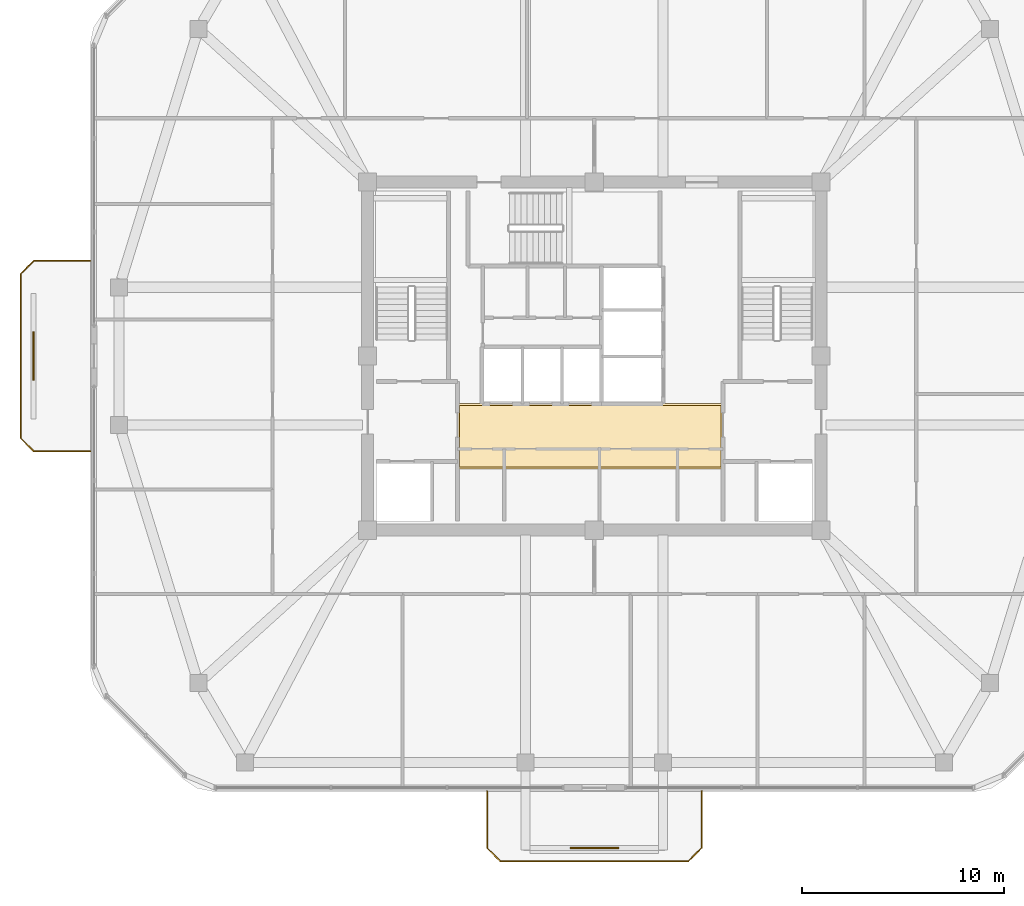
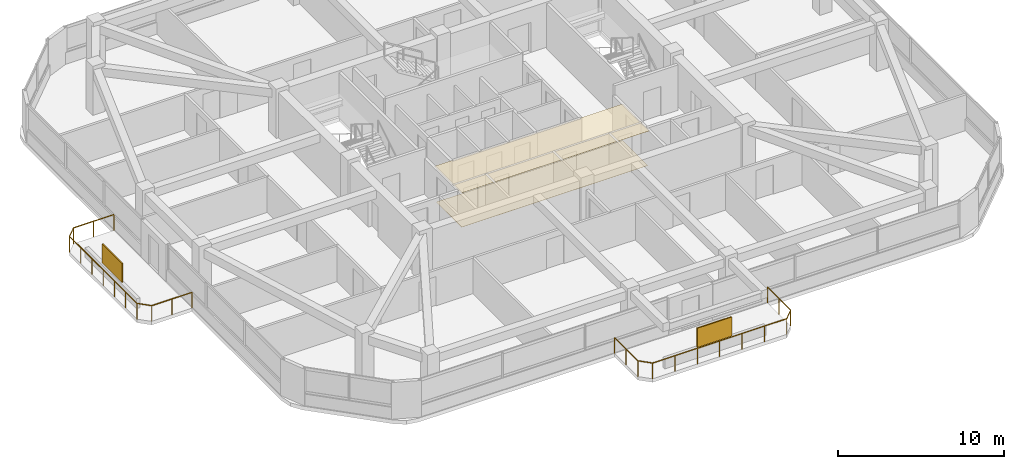
# One storey, part 12 of 13: 2 coverings, 2 railings, 2 shading devices.
"""IFC4 building model written with IfcOpenShell, lengths in metres."""

import ifcopenshell
import ifcopenshell.guid

model = None  # the IFC model being written
_history = None  # IfcOwnerHistory: only IFC2X3 demands one
_inside = {}  # id of a spatial element -> (the spatial element, [elements in it])
_under = {}  # id of a project, library or spatial element -> (it, [spatial elements below it])
_declared = {}  # id of a project -> (the project, [libraries it declares])
_typed = {}  # id of a type object -> (the type object, [elements of that type])
_made_of = {}  # id of a material, layer set ... -> (it, [elements and type objects made of it])


def new_model(schema):
    """Start an empty IFC model of exactly this schema.

    Asked for "IFC4X3", IfcOpenShell would pick the latest addendum, in which some entities
    have other attributes; the version numbers below select the first issue.
    IFC2X3 requires an IfcOwnerHistory on every rooted entity: one is made here for all.
    """
    global model, _history
    if schema == "IFC4X3":
        model = ifcopenshell.file(schema_version=(4, 3, 0, 0))
    else:
        model = ifcopenshell.file(schema=schema)
    _inside.clear()
    _under.clear()
    _declared.clear()
    _typed.clear()
    _made_of.clear()
    _history = None
    if model.schema == "IFC2X3":
        org = make("IfcOrganization", Name="unknown")
        user = make(
            "IfcPersonAndOrganization",
            ThePerson=make("IfcPerson", FamilyName="unknown"),
            TheOrganization=org,
        )
        app = make(
            "IfcApplication",
            ApplicationDeveloper=org,
            Version="unknown",
            ApplicationFullName="unknown",
            ApplicationIdentifier="unknown",
        )
        _history = make(
            "IfcOwnerHistory",
            OwningUser=user,
            OwningApplication=app,
            ChangeAction="ADDED",
            CreationDate=0,
        )
    return model


def make(cls, **values):
    """One entity of the class cls with the attributes given. An attribute that is None is left unset."""
    return model.create_entity(
        cls, **{name: value for name, value in values.items() if value is not None}
    )


def rooted(cls, **values):
    """An entity with a GlobalId (a new one), such as an element, a storey or a relation."""
    return make(cls, GlobalId=ifcopenshell.guid.new(), OwnerHistory=_history, **values)


def si_unit(unit_type, name, prefix=None):
    """IfcSIUnit, for example si_unit("LENGTHUNIT", "METRE", prefix="MILLI")."""
    return make("IfcSIUnit", UnitType=unit_type, Prefix=prefix, Name=name)


def derived_unit(unit_type, elements):
    """IfcDerivedUnit: a product of units, each with its exponent."""
    return make(
        "IfcDerivedUnit",
        Elements=[
            make("IfcDerivedUnitElement", Unit=unit, Exponent=power)
            for unit, power in elements
        ],
        UnitType=unit_type,
    )


def assignment(units):
    """IfcUnitAssignment: the units of a project."""
    return None if units is None else make("IfcUnitAssignment", Units=units)


def point(xyz):
    """IfcCartesianPoint."""
    return None if xyz is None else make("IfcCartesianPoint", Coordinates=xyz)


def direction(xyz):
    """IfcDirection."""
    return None if xyz is None else make("IfcDirection", DirectionRatios=xyz)


def frame(location, z_axis=None, x_axis=None):
    """IfcAxis2Placement3D, a coordinate frame: its origin and axes. An axis left out is left unset."""
    return make(
        "IfcAxis2Placement3D",
        Location=point(location),
        Axis=direction(z_axis),
        RefDirection=direction(x_axis),
    )


def frame_2d(location, x_axis=None):
    """IfcAxis2Placement2D, a coordinate frame in the plane: its origin and x axis."""
    return make(
        "IfcAxis2Placement2D", Location=point(location), RefDirection=direction(x_axis)
    )


def origin():
    """The frame at (0, 0, 0) with its axes left unset."""
    return frame((0.0, 0.0, 0.0))


def origin_2d():
    """The frame at (0, 0) in the plane with its x axis left unset."""
    return frame_2d((0.0, 0.0))


def place(relative_to, where):
    """IfcLocalPlacement: puts the frame where relative to a parent placement (None: the world)."""
    return make(
        "IfcLocalPlacement", PlacementRelTo=relative_to, RelativePlacement=where
    )


def context(
    kind, dimensions, precision=None, world=None, true_north=None, identifier=None
):
    """IfcGeometricRepresentationContext, for example the 3D "Model" context."""
    return make(
        "IfcGeometricRepresentationContext",
        ContextIdentifier=identifier,
        ContextType=kind,
        CoordinateSpaceDimension=dimensions,
        Precision=precision,
        WorldCoordinateSystem=world,
        TrueNorth=true_north,
    )


def subcontext(parent, identifier, kind, view, scale=None):
    """IfcGeometricRepresentationSubContext, for example "Body" below "Model"."""
    return make(
        "IfcGeometricRepresentationSubContext",
        ContextIdentifier=identifier,
        ContextType=kind,
        ParentContext=parent,
        TargetScale=scale,
        TargetView=view,
    )


def project(units=None, contexts=None):
    """IfcProject with its units and contexts."""
    return rooted(
        "IfcProject",
        Name="project",
        RepresentationContexts=contexts,
        UnitsInContext=assignment(units),
    )


def spatial(cls, under=None, at=None, **own):
    """A site, building, storey or space (cls), placed at a placement, below another one or the project."""
    s = rooted(cls, ObjectPlacement=at, **own)
    if under is not None:
        _under.setdefault(under.id(), (under, []))[1].append(s)
    return s


def polyline(points):
    """IfcPolyline through the points."""
    return make("IfcPolyline", Points=[point(p) for p in points])


def profile(cls, at=None, kind="AREA", **sizes):
    """A parametric profile (cls). Its sizes go by their IFC names, for example OverallWidth=200.0."""
    return make(cls, ProfileType=kind, Position=at, **sizes)


def rectangle(**sizes):
    """IfcRectangleProfileDef."""
    return profile("IfcRectangleProfileDef", **sizes)


def outline(outer, holes=None, kind="AREA"):
    """IfcArbitraryClosedProfileDef: a profile drawn as a closed curve; with holes, ...WithVoids."""
    if holes is None:
        return make("IfcArbitraryClosedProfileDef", ProfileType=kind, OuterCurve=outer)
    return make(
        "IfcArbitraryProfileDefWithVoids",
        ProfileType=kind,
        OuterCurve=outer,
        InnerCurves=holes,
    )


def extrude(swept, where, along, depth):
    """IfcExtrudedAreaSolid: the profile swept, set in the frame where, extruded along a direction by depth."""
    return make(
        "IfcExtrudedAreaSolid",
        SweptArea=swept,
        Position=where,
        ExtrudedDirection=direction(along),
        Depth=depth,
    )


def shape(context_of_items, identifier, shape_type, items):
    """IfcShapeRepresentation: the items that make up one representation, for example the "Body"."""
    return make(
        "IfcShapeRepresentation",
        ContextOfItems=context_of_items,
        RepresentationIdentifier=identifier,
        RepresentationType=shape_type,
        Items=items,
    )


def material(Name=None, Category=None):
    """IfcMaterial."""
    return make("IfcMaterial", Name=Name, Category=Category)


def layer(
    of_material, thickness, ventilated=None, Name=None, Category=None, Priority=None
):
    """IfcMaterialLayer: one layer of a wall or slab, of a material (None: an air gap)."""
    return make(
        "IfcMaterialLayer",
        Material=of_material,
        LayerThickness=thickness,
        IsVentilated=ventilated,
        Name=Name,
        Category=Category,
        Priority=Priority,
    )


def layer_set(layers, Name=None):
    """IfcMaterialLayerSet."""
    return make("IfcMaterialLayerSet", MaterialLayers=layers, LayerSetName=Name)


def made_of(thing, what):
    """Note that an element or type object is made of a material, layer set ...; save() writes the relation."""
    if what is not None:
        _made_of.setdefault(what.id(), (what, []))[1].append(thing)
    return thing


def type_object(cls, material=None, **own):
    """A type object (cls), such as IfcWallType, which elements share."""
    return made_of(rooted(cls, **own), material)


def element(
    cls,
    number,
    at=None,
    inside=None,
    cuts=None,
    type_object=None,
    material=None,
    context=None,
    identifier="Body",
    shape_type=None,
    held_by="IfcProductDefinitionShape",
    body=None,
    shapes=None,
    **own,
):
    """One element of the class cls, such as IfcWall. Its Tag is "e" and its number.

    at: its placement. inside: the storey or other place that contains it. cuts: it is an
    opening in that element (IfcRelVoidsElement). A single representation is given by context,
    identifier, shape_type and body (its items); several are given by shapes. held_by: the class
    of the entity that holds the representations. save() writes the other relations.
    """
    e = rooted(cls, Tag="e%d" % number, ObjectPlacement=at, **own)
    if body is not None:
        shapes = [shape(context, identifier, shape_type, body)]
    if shapes is not None:
        e.Representation = make(held_by, Representations=shapes)
    if inside is not None:
        _inside.setdefault(inside.id(), (inside, []))[1].append(e)
    if cuts is not None:
        rooted(
            "IfcRelVoidsElement", RelatingBuildingElement=cuts, RelatedOpeningElement=e
        )
    if type_object is not None:
        _typed.setdefault(type_object.id(), (type_object, []))[1].append(e)
    return made_of(e, material)


def aggregate(whole, parts):
    """IfcRelAggregates: a whole, such as a stair, and the parts it consists of."""
    return rooted("IfcRelAggregates", RelatingObject=whole, RelatedObjects=parts)


def save(model, path):
    """Write the relations noted so far, then the file.

    IfcRelAggregates (storeys below a building ...), IfcRelContainedInSpatialStructure (elements
    in a storey), IfcRelDefinesByType, IfcRelAssociatesMaterial and IfcRelDeclares: one each for
    every whole, place, type object, material and project.
    """
    for whole, parts in _under.values():
        aggregate(whole, parts)
    for where, things in _inside.values():
        rooted(
            "IfcRelContainedInSpatialStructure",
            RelatedElements=things,
            RelatingStructure=where,
        )
    for kind, things in _typed.values():
        rooted("IfcRelDefinesByType", RelatedObjects=things, RelatingType=kind)
    for what, things in _made_of.values():
        rooted("IfcRelAssociatesMaterial", RelatedObjects=things, RelatingMaterial=what)
    for by, libraries in _declared.values():
        rooted("IfcRelDeclares", RelatingContext=by, RelatedDefinitions=libraries)
    model.write(path)


model = new_model("IFC4")

# Units and contexts
model_context = context("Model", 3, precision=1e-05, world=origin(), true_north=direction((0.0, 1.0)))
body_context = subcontext(model_context, "Body", "Model", "MODEL_VIEW")
ifc_project = project(units=[si_unit("LENGTHUNIT", "METRE"), si_unit("AREAUNIT", "SQUARE_METRE"), si_unit("VOLUMEUNIT", "CUBIC_METRE"), si_unit("PLANEANGLEUNIT", "RADIAN"), si_unit("MASSUNIT", "GRAM", prefix="KILO"), derived_unit("THERMALTRANSMITTANCEUNIT", [(si_unit("POWERUNIT", "WATT"), 1), (si_unit("LENGTHUNIT", "METRE"), -2), (si_unit("THERMODYNAMICTEMPERATUREUNIT", "KELVIN"), -1)])], contexts=[model_context])

# Site, building, storey
site_placement = place(None, origin())
site = spatial("IfcSite", under=ifc_project, at=site_placement, CompositionType="ELEMENT")
building_placement = place(site_placement, origin())
building = spatial("IfcBuilding", under=site, at=building_placement, Name="Koralith Skygarden Medical Center", CompositionType="ELEMENT")
storey_placement = place(building_placement, frame((0.0, 0.0, 250.02001953125)))
storey = spatial("IfcBuildingStorey", under=building, at=storey_placement, Name="L64", CompositionType="ELEMENT", Elevation=250.02001953125)

# Covering
ifc_material_1 = material(Name="Acoustic Mineral Tile")
ifc_layer_1 = layer(ifc_material_1, 0.02001953125)
ifc_layer_set_1 = layer_set([ifc_layer_1], Name="Acoustic Mineral Tile")
covering_type_1 = type_object("IfcCoveringType", Name="Acoustic Hygienic Mineral Ceiling 20", PredefinedType="CEILING", material=ifc_layer_set_1)
covering_1_placement = place(storey_placement, frame((0.0, 0.0, 2.5849609375)))
element("IfcCovering", 1, at=covering_1_placement, inside=storey, type_object=covering_type_1, Name="L64 Core Lobby Acoustic Ceiling", PredefinedType="CEILING", context=body_context, shape_type="SweptSolid", body=[
    extrude(outline(polyline([(30.25, 20.320068359375), (43.35009765625, 20.320068359375), (43.35009765625, 23.56005859375), (30.25, 23.56005859375), (30.25, 20.320068359375)])), origin(), (0.0, 0.0, 1.0), 0.02001953125),
])

# Railings
ifc_material_2 = material(Name="Steel ASTM A500 Grade C", Category="steel")
railing_type = type_object("IfcRailingType", Name="Outdoor Terrace & Balcony Safety Guardrail 1180", PredefinedType="GUARDRAIL", material=ifc_material_2)
railing_1_placement = place(storey_placement, frame((31.699951171875, 4.39990234375, 0.0)))
element("IfcRailing", 2, at=railing_1_placement, inside=storey, type_object=railing_type, Name="L64 S Balcony Perimeter Guardrail", PredefinedType="GUARDRAIL", context=body_context, shape_type="SweptSolid", body=[
    extrude(rectangle(XDim=0.050048828125, YDim=0.050048828125, at=origin_2d()), frame((0.0, -0.001953125, 1.15478515625), z_axis=(0.0, -1.0, 0.0), x_axis=(1.0, 0.0, 0.0)), (0.0, 0.0, 1.0), 2.7958984375),
    extrude(rectangle(XDim=0.050048828125, YDim=0.050048828125, at=origin_2d()), frame((0.00146484375, -2.80126953125, 1.15478515625), z_axis=(0.707106781187, -0.707106781187, 0.0), x_axis=(0.707106781187, 0.707106781187, 0.0)), (0.0, 0.0, 1.0), 0.91552734375),
    extrude(rectangle(XDim=0.050048828125, YDim=0.050048828125, at=origin_2d()), frame((0.652099609375, -3.449951171875, 1.15478515625), z_axis=(1.0, 0.0, 0.0), x_axis=(0.0, 1.0, 0.0)), (0.0, 0.0, 1.0), 9.2958984375),
    extrude(rectangle(XDim=0.050048828125, YDim=0.050048828125, at=origin_2d()), frame((9.951416015625, -3.448486328125, 1.15478515625), z_axis=(0.707106781187, 0.707106781187, 0.0), x_axis=(-0.707106781187, 0.707106781187, 0.0)), (0.0, 0.0, 1.0), 0.91552734375),
    extrude(rectangle(XDim=0.050048828125, YDim=0.050048828125, at=origin_2d()), frame((10.60009765625, -2.7978515625, 1.15478515625), z_axis=(0.0, 1.0, 0.0), x_axis=(-1.0, 0.0, 0.0)), (0.0, 0.0, 1.0), 2.7958984375),
    extrude(rectangle(XDim=0.0419921875, YDim=0.0419921875, at=origin_2d()), origin(), (0.0, 0.0, 1.0), 1.1279296875),
    extrude(rectangle(XDim=0.0419921875, YDim=0.0419921875, at=origin_2d()), frame((0.0, -1.39990234375, 0.0)), (0.0, 0.0, 1.0), 1.1279296875),
    extrude(rectangle(XDim=0.0419921875, YDim=0.0419921875, at=origin_2d()), frame((0.0, -2.7998046875, 0.0)), (0.0, 0.0, 1.0), 1.1279296875),
    extrude(rectangle(XDim=0.0419921875, YDim=0.0419921875, at=origin_2d()), frame((0.650146484375, -3.449951171875, 0.0)), (0.0, 0.0, 1.0), 1.1279296875),
    extrude(rectangle(XDim=0.0419921875, YDim=0.0419921875, at=origin_2d()), frame((2.2001953125, -3.449951171875, 0.0)), (0.0, 0.0, 1.0), 1.1279296875),
    extrude(rectangle(XDim=0.0419921875, YDim=0.0419921875, at=origin_2d()), frame((3.75, -3.449951171875, 0.0)), (0.0, 0.0, 1.0), 1.1279296875),
    extrude(rectangle(XDim=0.0419921875, YDim=0.0419921875, at=origin_2d()), frame((5.300048828125, -3.449951171875, 0.0)), (0.0, 0.0, 1.0), 1.1279296875),
    extrude(rectangle(XDim=0.0419921875, YDim=0.0419921875, at=origin_2d()), frame((6.85009765625, -3.449951171875, 0.0)), (0.0, 0.0, 1.0), 1.1279296875),
    extrude(rectangle(XDim=0.0419921875, YDim=0.0419921875, at=origin_2d()), frame((8.39990234375, -3.449951171875, 0.0)), (0.0, 0.0, 1.0), 1.1279296875),
    extrude(rectangle(XDim=0.0419921875, YDim=0.0419921875, at=origin_2d()), frame((9.949951171875, -3.449951171875, 0.0)), (0.0, 0.0, 1.0), 1.1279296875),
    extrude(rectangle(XDim=0.0419921875, YDim=0.0419921875, at=origin_2d()), frame((10.60009765625, -2.7998046875, 0.0)), (0.0, 0.0, 1.0), 1.1279296875),
    extrude(rectangle(XDim=0.0419921875, YDim=0.0419921875, at=origin_2d()), frame((10.60009765625, -1.39990234375, 0.0)), (0.0, 0.0, 1.0), 1.1279296875),
    extrude(rectangle(XDim=0.0419921875, YDim=0.0419921875, at=origin_2d()), frame((10.60009765625, 0.0, 0.0)), (0.0, 0.0, 1.0), 1.1279296875),
])
railing_2_placement = place(storey_placement, frame((12.10009765625, 21.199951171875, 0.0)))
element("IfcRailing", 3, at=railing_2_placement, inside=storey, type_object=railing_type, Name="L64 W Balcony Perimeter Guardrail", PredefinedType="GUARDRAIL", context=body_context, shape_type="SweptSolid", body=[
    extrude(rectangle(XDim=0.050048828125, YDim=0.050048828125, at=origin_2d()), frame((-0.001953125, 0.0, 1.15478515625), z_axis=(-1.0, 0.0, 0.0), x_axis=(0.0, -1.0, 0.0)), (0.0, 0.0, 1.0), 2.796142578125),
    extrude(rectangle(XDim=0.050048828125, YDim=0.050048828125, at=origin_2d()), frame((-2.801513671875, 0.00146484375, 1.15478515625), z_axis=(-0.707106781187, 0.707106781187, 0.0), x_axis=(-0.707106781187, -0.707106781187, 0.0)), (0.0, 0.0, 1.0), 0.91552734375),
    extrude(rectangle(XDim=0.050048828125, YDim=0.050048828125, at=origin_2d()), frame((-3.4501953125, 0.652099609375, 1.15478515625), z_axis=(0.0, 1.0, 0.0), x_axis=(-1.0, 0.0, 0.0)), (0.0, 0.0, 1.0), 8.095947265625),
    extrude(rectangle(XDim=0.050048828125, YDim=0.050048828125, at=origin_2d()), frame((-3.44873046875, 8.75146484375, 1.15478515625), z_axis=(0.707106781187, 0.707106781187, 0.0), x_axis=(-0.707106781187, 0.707106781187, 0.0)), (0.0, 0.0, 1.0), 0.91552734375),
    extrude(rectangle(XDim=0.050048828125, YDim=0.050048828125, at=origin_2d()), frame((-2.798095703125, 9.400146484375, 1.15478515625), z_axis=(1.0, 0.0, 0.0), x_axis=(0.0, 1.0, 0.0)), (0.0, 0.0, 1.0), 2.796142578125),
    extrude(rectangle(XDim=0.0419921875, YDim=0.0419921875, at=origin_2d()), origin(), (0.0, 0.0, 1.0), 1.1279296875),
    extrude(rectangle(XDim=0.0419921875, YDim=0.0419921875, at=origin_2d()), frame((-1.39990234375, 0.0, 0.0)), (0.0, 0.0, 1.0), 1.1279296875),
    extrude(rectangle(XDim=0.0419921875, YDim=0.0419921875, at=origin_2d()), frame((-2.800048828125, 0.0, 0.0)), (0.0, 0.0, 1.0), 1.1279296875),
    extrude(rectangle(XDim=0.0419921875, YDim=0.0419921875, at=origin_2d()), frame((-3.4501953125, 0.650146484375, 0.0)), (0.0, 0.0, 1.0), 1.1279296875),
    extrude(rectangle(XDim=0.0419921875, YDim=0.0419921875, at=origin_2d()), frame((-3.4501953125, 2.0, 0.0)), (0.0, 0.0, 1.0), 1.1279296875),
    extrude(rectangle(XDim=0.0419921875, YDim=0.0419921875, at=origin_2d()), frame((-3.4501953125, 3.35009765625, 0.0)), (0.0, 0.0, 1.0), 1.1279296875),
    extrude(rectangle(XDim=0.0419921875, YDim=0.0419921875, at=origin_2d()), frame((-3.4501953125, 4.7001953125, 0.0)), (0.0, 0.0, 1.0), 1.1279296875),
    extrude(rectangle(XDim=0.0419921875, YDim=0.0419921875, at=origin_2d()), frame((-3.4501953125, 6.050048828125, 0.0)), (0.0, 0.0, 1.0), 1.1279296875),
    extrude(rectangle(XDim=0.0419921875, YDim=0.0419921875, at=origin_2d()), frame((-3.4501953125, 7.39990234375, 0.0)), (0.0, 0.0, 1.0), 1.1279296875),
    extrude(rectangle(XDim=0.0419921875, YDim=0.0419921875, at=origin_2d()), frame((-3.4501953125, 8.75, 0.0)), (0.0, 0.0, 1.0), 1.1279296875),
    extrude(rectangle(XDim=0.0419921875, YDim=0.0419921875, at=origin_2d()), frame((-2.800048828125, 9.400146484375, 0.0)), (0.0, 0.0, 1.0), 1.1279296875),
    extrude(rectangle(XDim=0.0419921875, YDim=0.0419921875, at=origin_2d()), frame((-1.39990234375, 9.400146484375, 0.0)), (0.0, 0.0, 1.0), 1.1279296875),
    extrude(rectangle(XDim=0.0419921875, YDim=0.0419921875, at=origin_2d()), frame((0.0, 9.400146484375, 0.0)), (0.0, 0.0, 1.0), 1.1279296875),
])

# Shading devices
ifc_material_3 = material(Name="Aluminium 6063-T6", Category="aluminium")
ifc_layer_2 = layer(ifc_material_3, 0.080078125)
ifc_layer_set_2 = layer_set([ifc_layer_2], Name="Aluminium 6063-T6")
shading_device_type = type_object("IfcShadingDeviceType", Name="Perforated Biophilic Balcony Trellis Screen", PredefinedType="USERDEFINED", material=ifc_layer_set_2)
for number, where, z_axis, x_axis, name in (
    (4, (37.0, 1.60009765625, 0.719970703125), (0.0, 0.0, 1.0), (1.0, 0.0, 0.0), "L64 S Biophilic Balcony Trellis Screen"),
    (5, (9.300048828125, 25.89990234375, 0.719970703125), (0.0, 0.0, 1.0), (0.0, 1.0, 0.0), "L64 W Biophilic Balcony Trellis Screen"),
):
    element("IfcShadingDevice", number, at=place(storey_placement, frame(where, z_axis=z_axis, x_axis=x_axis)), inside=storey, type_object=shading_device_type, Name=name, ObjectType="HURRICANE SCREEN", PredefinedType="USERDEFINED", context=body_context, shape_type="SweptSolid", body=[
        extrude(rectangle(XDim=2.39990234375, YDim=0.080078125, at=origin_2d()), origin(), (0.0, 0.0, 1.0), 1.39990234375),
    ])

# Covering
ifc_material_4 = material(Name="Medical Terrazzo Flooring")
ifc_layer_3 = layer(ifc_material_4, 0.014892578125)
ifc_layer_set_3 = layer_set([ifc_layer_3], Name="Medical Terrazzo Flooring")
covering_type_2 = type_object("IfcCoveringType", Name="Seamless Antimicrobial Terrazzo Flooring 15", PredefinedType="FLOORING", material=ifc_layer_set_3)
covering_2_placement = place(storey_placement, origin())
element("IfcCovering", 6, at=covering_2_placement, inside=storey, type_object=covering_type_2, Name="L64 Core Lobby Terrazzo Flooring", PredefinedType="FLOORING", context=body_context, shape_type="SweptSolid", body=[
    extrude(outline(polyline([(30.35009765625, 20.419921875), (43.25, 20.419921875), (43.25, 23.4599609375), (30.35009765625, 23.4599609375), (30.35009765625, 20.419921875)])), origin(), (0.0, 0.0, 1.0), 0.014892578125),
])

save(model, "model.ifc")
